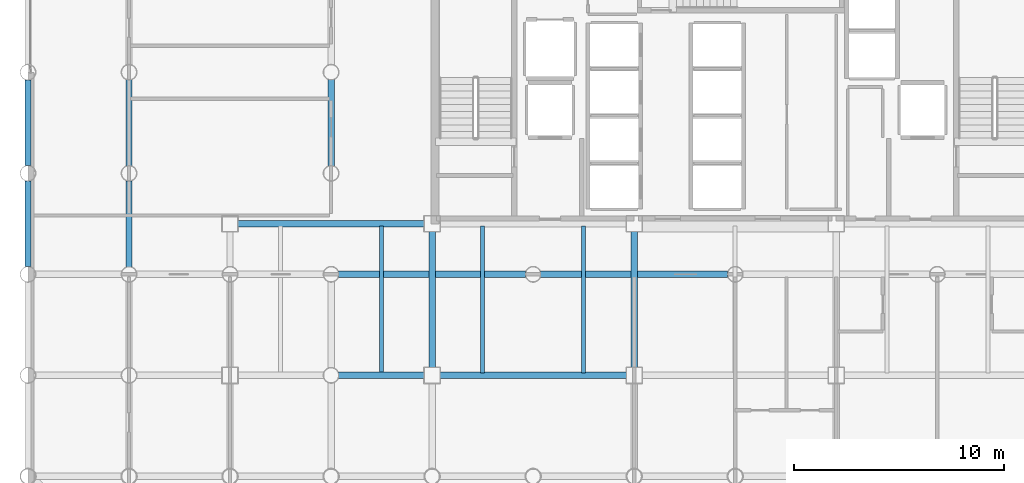
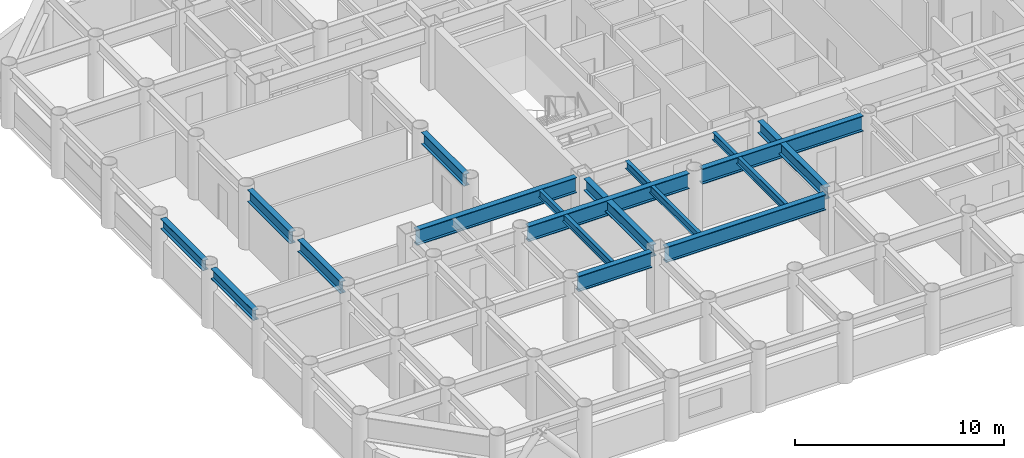
# One storey, part 3 of 21: 15 beams.
"""IFC4 building model written with IfcOpenShell, lengths in metres."""

from ifc_helpers import new_model, si_unit, direction, frame, origin, origin_2d, place, context, subcontext, project, spatial, i_section, extrude, material, material_profile, profile_set, type_object, element, save


model = new_model("IFC4")

# Units and contexts
model_context = context("Model", 3, precision=1e-05, world=origin(), true_north=direction((0.0, 1.0)))
body_context = subcontext(model_context, "Body", "Model", "MODEL_VIEW")
ifc_project = project(units=[si_unit("LENGTHUNIT", "METRE"), si_unit("AREAUNIT", "SQUARE_METRE"), si_unit("VOLUMEUNIT", "CUBIC_METRE"), si_unit("PLANEANGLEUNIT", "RADIAN"), si_unit("MASSUNIT", "GRAM", prefix="KILO")], contexts=[model_context])

# Site, building, storey
site_placement = place(None, origin())
site = spatial("IfcSite", under=ifc_project, at=site_placement, CompositionType="ELEMENT")
building_placement = place(site_placement, origin())
building = spatial("IfcBuilding", under=site, at=building_placement, Name="Kallvorn Hotel Tower", CompositionType="ELEMENT")
storey_placement = place(building_placement, frame((0.0, 0.0, 44.800048828125)))
storey = spatial("IfcBuildingStorey", under=building, at=storey_placement, Name="L09", CompositionType="ELEMENT", Elevation=44.800048828125)

# Beams
ifc_material_1 = material(Name="Structural steel S355JR", Category="steel")
ifc_material_profile_1 = material_profile(ifc_material_1, i_section(OverallWidth=0.300048828125, OverallDepth=0.60009765625, WebThickness=0.015380859375, FlangeThickness=0.030029296875, at=origin_2d()), Name="HE 600 B")
ifc_profile_set_1 = profile_set([ifc_material_profile_1], Name="Structural steel S355JR")
beam_type_1 = type_object("IfcBeamType", Name="BM_HE600B", PredefinedType="SPANDREL", material=ifc_profile_set_1)
beam_1_placement = place(storey_placement, frame((-33.60009765625, -9.22900390625, 3.219970703125), z_axis=(0.0, 1.0, 0.0), x_axis=(-1.0, 0.0, 0.0)))
element("IfcBeam", 1, at=beam_1_placement, inside=storey, type_object=beam_type_1, Name="L10 Perimeter Spandrel 176", PredefinedType="SPANDREL", context=body_context, shape_type="SweptSolid", body=[
    extrude(i_section(OverallWidth=0.300048828125, OverallDepth=0.60009765625, WebThickness=0.015380859375, FlangeThickness=0.030029296875, at=origin_2d()), origin(), (0.0, 0.0, 1.0), 4.05810546875),
])
beam_2_placement = place(storey_placement, frame((-33.60009765625, -4.428955078125, 3.219970703125), z_axis=(0.0, 1.0, 0.0), x_axis=(-1.0, 0.0, 0.0)))
element("IfcBeam", 2, at=beam_2_placement, inside=storey, type_object=beam_type_1, Name="L10 Perimeter Spandrel 177", PredefinedType="SPANDREL", context=body_context, shape_type="SweptSolid", body=[
    extrude(i_section(OverallWidth=0.300048828125, OverallDepth=0.60009765625, WebThickness=0.015380859375, FlangeThickness=0.030029296875, at=origin_2d()), origin(), (0.0, 0.0, 1.0), 4.057861328125),
])
ifc_material_2 = material(Name="Structural steel S355JR", Category="steel")
ifc_material_profile_2 = material_profile(ifc_material_2, i_section(OverallWidth=0.300048828125, OverallDepth=0.699951171875, WebThickness=0.01708984375, FlangeThickness=0.031982421875, at=origin_2d()), Name="HE 700 B")
ifc_profile_set_2 = profile_set([ifc_material_profile_2], Name="Structural steel S355JR")
beam_type_2 = type_object("IfcBeamType", Name="BM_HE700B", PredefinedType="BEAM", material=ifc_profile_set_2)
beam_3_placement = place(storey_placement, frame((-28.800048828125, -9.243896484375, 3.169921875), z_axis=(0.0, 1.0, 0.0), x_axis=(-1.0, 0.0, 0.0)))
element("IfcBeam", 3, at=beam_3_placement, inside=storey, type_object=beam_type_2, Name="L10 Primary Y-Girder 76", PredefinedType="BEAM", context=body_context, shape_type="SweptSolid", body=[
    extrude(i_section(OverallWidth=0.300048828125, OverallDepth=0.699951171875, WebThickness=0.01708984375, FlangeThickness=0.031982421875, at=origin_2d()), origin(), (0.0, 0.0, 1.0), 4.087890625),
])
for number, where, z_axis, x_axis, name in (
    (4, (-28.800048828125, -4.444091796875, 3.169921875), (0.0, 1.0, 0.0), (-1.0, 0.0, 0.0), "L10 Primary Y-Girder 77"),
    (5, (-19.199951171875, -4.444091796875, 3.169921875), (0.0, 1.0, 0.0), (-1.0, 0.0, 0.0), "L10 Primary Y-Girder 93"),
):
    element("IfcBeam", number, at=place(storey_placement, frame(where, z_axis=z_axis, x_axis=x_axis)), inside=storey, type_object=beam_type_2, Name=name, PredefinedType="BEAM", context=body_context, shape_type="SweptSolid", body=[
        extrude(i_section(OverallWidth=0.300048828125, OverallDepth=0.699951171875, WebThickness=0.01708984375, FlangeThickness=0.031982421875, at=origin_2d()), origin(), (0.0, 0.0, 1.0), 4.088134765625),
    ])
for number, where, z_axis, x_axis, name in (
    (6, (-14.39990234375, -14.02490234375, 3.169921875), (0.0, 1.0, 0.0), (-1.0, 0.0, 0.0), "L10 Primary Y-Girder 100"),
    (7, (-4.800048828125, -14.02490234375, 3.169921875), (0.0, 1.0, 0.0), (-1.0, 0.0, 0.0), "L10 Primary Y-Girder 108"),
):
    element("IfcBeam", number, at=place(storey_placement, frame(where, z_axis=z_axis, x_axis=x_axis)), inside=storey, type_object=beam_type_2, Name=name, PredefinedType="BEAM", context=body_context, shape_type="SweptSolid", body=[
        extrude(i_section(OverallWidth=0.300048828125, OverallDepth=0.699951171875, WebThickness=0.01708984375, FlangeThickness=0.031982421875, at=origin_2d()), origin(), (0.0, 0.0, 1.0), 6.449951171875),
    ])
ifc_material_3 = material(Name="Structural steel S355JR", Category="steel")
ifc_material_profile_3 = material_profile(ifc_material_3, i_section(OverallWidth=0.300048828125, OverallDepth=0.89990234375, WebThickness=0.0185546875, FlangeThickness=0.034912109375, at=origin_2d()), Name="HE 900 B")
ifc_profile_set_3 = profile_set([ifc_material_profile_3], Name="Structural steel S355JR")
beam_type_3 = type_object("IfcBeamType", Name="BM_HE900B", PredefinedType="BEAM", material=ifc_profile_set_3)
beam_4_placement = place(storey_placement, frame((-18.843994140625, -14.39990234375, 3.070068359375), z_axis=(1.0, 0.0, 0.0), x_axis=(0.0, 1.0, 0.0)))
element("IfcBeam", 8, at=beam_4_placement, inside=storey, type_object=beam_type_3, Name="L10 Primary X-Girder 17", PredefinedType="BEAM", context=body_context, shape_type="SweptSolid", body=[
    extrude(i_section(OverallWidth=0.300048828125, OverallDepth=0.89990234375, WebThickness=0.0185546875, FlangeThickness=0.034912109375, at=origin_2d()), origin(), (0.0, 0.0, 1.0), 4.069091796875),
])
beam_5_placement = place(storey_placement, frame((-14.02490234375, -14.39990234375, 3.070068359375), z_axis=(1.0, 0.0, 0.0), x_axis=(0.0, 1.0, 0.0)))
element("IfcBeam", 9, at=beam_5_placement, inside=storey, type_object=beam_type_3, Name="L10 Primary X-Girder 18", PredefinedType="BEAM", context=body_context, shape_type="SweptSolid", body=[
    extrude(i_section(OverallWidth=0.300048828125, OverallDepth=0.89990234375, WebThickness=0.0185546875, FlangeThickness=0.034912109375, at=origin_2d()), origin(), (0.0, 0.0, 1.0), 8.849853515625),
])
for number, where, z_axis, x_axis, name in (
    (10, (-18.843994140625, -9.60009765625, 3.070068359375), (1.0, 0.0, 0.0), (0.0, 1.0, 0.0), "L10 Primary X-Girder 27"),
    (11, (-9.243896484375, -9.60009765625, 3.070068359375), (1.0, 0.0, 0.0), (0.0, 1.0, 0.0), "L10 Primary X-Girder 28"),
):
    element("IfcBeam", number, at=place(storey_placement, frame(where, z_axis=z_axis, x_axis=x_axis)), inside=storey, type_object=beam_type_3, Name=name, PredefinedType="BEAM", context=body_context, shape_type="SweptSolid", body=[
        extrude(i_section(OverallWidth=0.300048828125, OverallDepth=0.89990234375, WebThickness=0.0185546875, FlangeThickness=0.034912109375, at=origin_2d()), origin(), (0.0, 0.0, 1.0), 8.887939453125),
    ])
beam_6_placement = place(storey_placement, frame((-23.625, -7.199951171875, 3.070068359375), z_axis=(1.0, 0.0, 0.0), x_axis=(0.0, 1.0, 0.0)))
element("IfcBeam", 12, at=beam_6_placement, inside=storey, type_object=beam_type_3, Name="L10 Primary X-Girder 33", PredefinedType="BEAM", context=body_context, shape_type="SweptSolid", body=[
    extrude(i_section(OverallWidth=0.300048828125, OverallDepth=0.89990234375, WebThickness=0.0185546875, FlangeThickness=0.034912109375, at=origin_2d()), origin(), (0.0, 0.0, 1.0), 8.85009765625),
])
ifc_material_4 = material(Name="Structural steel S355JR", Category="steel")
ifc_material_profile_4 = material_profile(ifc_material_4, i_section(OverallWidth=0.18994140625, OverallDepth=0.449951171875, WebThickness=0.009521484375, FlangeThickness=0.0146484375, at=origin_2d()), Name="IPE 450")
ifc_profile_set_4 = profile_set([ifc_material_profile_4], Name="Structural steel S355JR")
beam_type_4 = type_object("IfcBeamType", Name="BM_IPE450", PredefinedType="JOIST", material=ifc_profile_set_4)
for number, where, z_axis, x_axis, name in (
    (13, (-16.800048828125, -14.300048828125, 3.294921875), (0.0, 1.0, 0.0), (-1.0, 0.0, 0.0), "L10 Secondary Composite Joist 194"),
    (14, (-12.0, -14.300048828125, 3.294921875), (0.0, 1.0, 0.0), (-1.0, 0.0, 0.0), "L10 Secondary Composite Joist 196"),
    (15, (-7.199951171875, -14.300048828125, 3.294921875), (0.0, 1.0, 0.0), (-1.0, 0.0, 0.0), "L10 Secondary Composite Joist 198"),
):
    element("IfcBeam", number, at=place(storey_placement, frame(where, z_axis=z_axis, x_axis=x_axis)), inside=storey, type_object=beam_type_4, Name=name, PredefinedType="JOIST", context=body_context, shape_type="SweptSolid", body=[
        extrude(i_section(OverallWidth=0.18994140625, OverallDepth=0.449951171875, WebThickness=0.009521484375, FlangeThickness=0.0146484375, at=origin_2d()), origin(), (0.0, 0.0, 1.0), 7.0),
    ])

save(model, "model.ifc")
